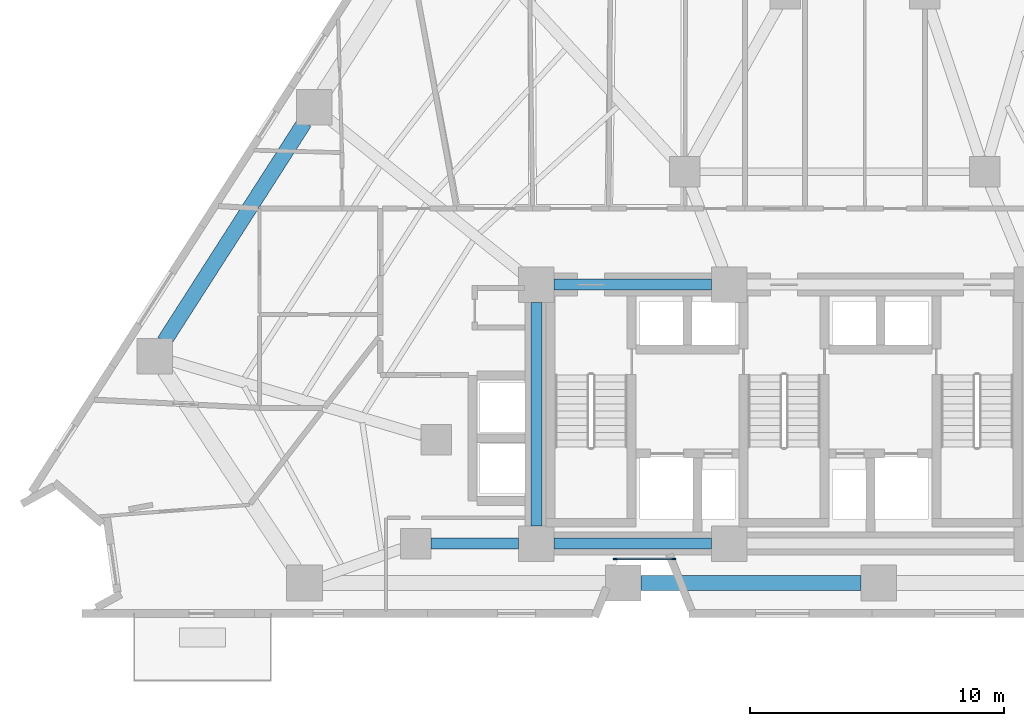
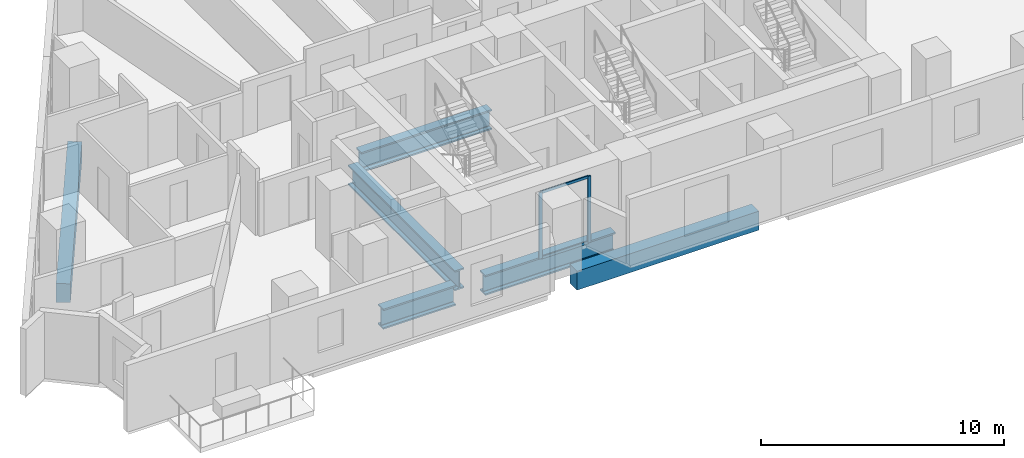
# One storey, part 2 of 15: 6 beams, 4 members, 1 element without a shape of its own.
"""IFC4 building model written with IfcOpenShell, lengths in metres."""

from ifc_helpers import new_model, si_unit, direction, frame, origin, origin_2d, place, context, subcontext, project, spatial, rectangle, i_section, extrude, material, layer, layer_set, material_profile, profile_set, type_object, element, aggregate, save


model = new_model("IFC4")

# Units and contexts
model_context = context("Model", 3, precision=1e-05, world=origin(), true_north=direction((0.0, 1.0)))
body_context = subcontext(model_context, "Body", "Model", "MODEL_VIEW")
ifc_project = project(units=[si_unit("LENGTHUNIT", "METRE"), si_unit("AREAUNIT", "SQUARE_METRE"), si_unit("VOLUMEUNIT", "CUBIC_METRE"), si_unit("PLANEANGLEUNIT", "RADIAN"), si_unit("MASSUNIT", "GRAM", prefix="KILO")], contexts=[model_context])

# Site, building, storey
site_placement = place(None, origin())
site = spatial("IfcSite", under=ifc_project, at=site_placement, CompositionType="ELEMENT")
building_placement = place(site_placement, origin())
building = spatial("IfcBuilding", under=site, at=building_placement, Name="Almagre Mirador Tower", CompositionType="ELEMENT")
storey_placement = place(building_placement, frame((0.0, 0.0, 31.800048828125)))
storey = spatial("IfcBuildingStorey", under=building, at=storey_placement, Name="L06", CompositionType="ELEMENT", Elevation=31.800048828125)

# Beams
ifc_material_1 = material(Name="Precast concrete C50/60", Category="concrete")
ifc_material_profile_1 = material_profile(ifc_material_1, rectangle(XDim=0.60009765625, YDim=0.949951171875, at=origin_2d()), Name="RC600X950")
ifc_profile_set_1 = profile_set([ifc_material_profile_1], Name="Precast concrete C50/60")
beam_type_1 = type_object("IfcBeamType", Name="BM-SPN-RC600X950", PredefinedType="SPANDREL", material=ifc_profile_set_1)
beam_1_placement = place(storey_placement, frame((31.676025390625, 3.0, -0.72509765625), z_axis=(1.0, 0.0, 0.0), x_axis=(0.0, 1.0, 0.0)))
element("IfcBeam", 1, at=beam_1_placement, inside=storey, type_object=beam_type_1, Name="L06 perimeter spandrel beam PC02-PC03", PredefinedType="SPANDREL", context=body_context, shape_type="SweptSolid", body=[
    extrude(rectangle(XDim=0.60009765625, YDim=0.949951171875, at=origin_2d()), origin(), (0.0, 0.0, 1.0), 8.64794921875),
])
beam_2_placement = place(storey_placement, frame((18.42041015625, 21.1435546875, -0.72509765625), z_axis=(-0.539549548581, -0.841953849463, 0.0), x_axis=(0.841953849463, -0.539549548581, 0.0)))
element("IfcBeam", 2, at=beam_2_placement, inside=storey, type_object=beam_type_1, Name="L06 perimeter spandrel beam PC11-PC12", PredefinedType="SPANDREL", context=body_context, shape_type="SweptSolid", body=[
    extrude(rectangle(XDim=0.60009765625, YDim=0.949951171875, at=origin_2d()), origin(), (0.0, 0.0, 1.0), 10.239501953125),
])
ifc_material_2 = material(Name="Steel ASTM A992 Grade 50", Category="steel")
ifc_material_profile_2 = material_profile(ifc_material_2, i_section(OverallWidth=0.43701171875, OverallDepth=1.010986328125, WebThickness=0.041015625, FlangeThickness=0.073974609375, FilletRadius=0.028076171875, at=origin_2d()), Name="W36X529")
ifc_profile_set_2 = profile_set([ifc_material_profile_2], Name="Steel ASTM A992 Grade 50")
beam_type_2 = type_object("IfcBeamType", Name="BM-STL-W36X529", PredefinedType="BEAM", material=ifc_profile_set_2)
for number, where, z_axis, x_axis, name in (
    (3, (28.25, 4.550048828125, -0.755615234375), (1.0, 0.0, 0.0), (0.0, 1.0, 0.0), "L06 core tie girder CC1-CC2"),
    (4, (28.25, 14.75, -0.755615234375), (1.0, 0.0, 0.0), (0.0, 1.0, 0.0), "L06 core tie girder CC4-CC5"),
):
    element("IfcBeam", number, at=place(storey_placement, frame(where, z_axis=z_axis, x_axis=x_axis)), inside=storey, type_object=beam_type_2, Name=name, PredefinedType="BEAM", context=body_context, shape_type="SweptSolid", body=[
        extrude(i_section(OverallWidth=0.43701171875, OverallDepth=1.010986328125, WebThickness=0.041015625, FlangeThickness=0.073974609375, FilletRadius=0.028076171875, at=origin_2d()), origin(), (0.0, 0.0, 1.0), 6.199951171875),
    ])
beam_3_placement = place(storey_placement, frame((27.550048828125, 5.25, -0.755615234375), z_axis=(0.0, 1.0, 0.0), x_axis=(-1.0, 0.0, 0.0)))
element("IfcBeam", 5, at=beam_3_placement, inside=storey, type_object=beam_type_2, Name="L06 core tie girder CC1-CC4", PredefinedType="BEAM", context=body_context, shape_type="SweptSolid", body=[
    extrude(i_section(OverallWidth=0.43701171875, OverallDepth=1.010986328125, WebThickness=0.041015625, FlangeThickness=0.073974609375, FilletRadius=0.028076171875, at=origin_2d()), origin(), (0.0, 0.0, 1.0), 8.800048828125),
])
beam_4_placement = place(storey_placement, frame((23.39990234375, 4.550048828125, -0.755615234375), z_axis=(1.0, 0.0, 0.0), x_axis=(0.0, 1.0, 0.0)))
element("IfcBeam", 6, at=beam_4_placement, inside=storey, type_object=beam_type_2, Name="L06 core tie girder MC1-CC1", PredefinedType="BEAM", context=body_context, shape_type="SweptSolid", body=[
    extrude(i_section(OverallWidth=0.43701171875, OverallDepth=1.010986328125, WebThickness=0.041015625, FlangeThickness=0.073974609375, FilletRadius=0.028076171875, at=origin_2d()), origin(), (0.0, 0.0, 1.0), 3.4501953125),
])

# Curtain wall, members
ifc_material_3 = material(Name="Black anodized aluminium", Category="aluminium")
ifc_layer = layer(ifc_material_3, 0.169921875)
ifc_layer_set = layer_set([ifc_layer], Name="Black anodized aluminium")
curtain_wall_type = type_object("IfcCurtainWallType", Name="CW-CRS-SYS", PredefinedType="NOTDEFINED", material=ifc_layer_set)
curtain_wall_placement = place(storey_placement, origin())
curtain_wall = element("IfcCurtainWall", 7, at=curtain_wall_placement, inside=storey, type_object=curtain_wall_type, Name="L06 vertical crease curtain wall 04", PredefinedType="NOTDEFINED")
ifc_material_4 = material(Name="Black anodized aluminium", Category="aluminium")
ifc_material_profile_3 = material_profile(ifc_material_4, rectangle(XDim=0.06005859375, YDim=0.14990234375, at=origin_2d()), Name="CWM60X150")
ifc_profile_set_3 = profile_set([ifc_material_profile_3], Name="Black anodized aluminium")
member_type_1 = type_object("IfcMemberType", Name="MBR-CWM60X150", PredefinedType="MULLION", material=ifc_profile_set_3)
member_1_placement = place(storey_placement, frame((32.962890625, 3.949951171875, 0.0), z_axis=(0.0, 0.0, 1.0), x_axis=(0.0, -1.0, 0.0)))
member_1 = element("IfcMember", 8, at=member_1_placement, type_object=member_type_1, Name="CW-4 mullion 1", PredefinedType="MULLION", context=body_context, shape_type="SweptSolid", body=[
    extrude(rectangle(XDim=0.06005859375, YDim=0.14990234375, at=origin_2d()), origin(), (0.0, 0.0, 1.0), 3.349853515625),
])
member_2_placement = place(storey_placement, frame((30.653076171875, 3.949951171875, 0.0), z_axis=(0.0, 0.0, 1.0), x_axis=(0.0, -1.0, 0.0)))
member_2 = element("IfcMember", 9, at=member_2_placement, type_object=member_type_1, Name="CW-4 mullion 2", PredefinedType="MULLION", context=body_context, shape_type="SweptSolid", body=[
    extrude(rectangle(XDim=0.06005859375, YDim=0.14990234375, at=origin_2d()), origin(), (0.0, 0.0, 1.0), 3.349853515625),
])
ifc_material_5 = material(Name="Black anodized aluminium", Category="aluminium")
ifc_material_profile_4 = material_profile(ifc_material_5, rectangle(XDim=0.06005859375, YDim=0.1298828125, at=origin_2d()), Name="CWT60X130")
ifc_profile_set_4 = profile_set([ifc_material_profile_4], Name="Black anodized aluminium")
member_type_2 = type_object("IfcMemberType", Name="MBR-CWT60X130", PredefinedType="USERDEFINED", material=ifc_profile_set_4)
member_3_placement = place(storey_placement, frame((32.93310546875, 3.949951171875, 0.030029296875), z_axis=(-1.0, 0.0, 0.0), x_axis=(0.0, -1.0, 0.0)))
member_3 = element("IfcMember", 10, at=member_3_placement, type_object=member_type_2, Name="CW-4 transom 1.1", ObjectType="TRANSOM", PredefinedType="USERDEFINED", context=body_context, shape_type="SweptSolid", body=[
    extrude(rectangle(XDim=0.06005859375, YDim=0.1298828125, at=origin_2d()), origin(), (0.0, 0.0, 1.0), 2.25),
])
member_4_placement = place(storey_placement, frame((32.93310546875, 3.949951171875, 3.320068359375), z_axis=(-1.0, 0.0, 0.0), x_axis=(0.0, -1.0, 0.0)))
member_4 = element("IfcMember", 11, at=member_4_placement, type_object=member_type_2, Name="CW-4 transom 1.2", ObjectType="TRANSOM", PredefinedType="USERDEFINED", context=body_context, shape_type="SweptSolid", body=[
    extrude(rectangle(XDim=0.06005859375, YDim=0.1298828125, at=origin_2d()), origin(), (0.0, 0.0, 1.0), 2.25),
])
aggregate(curtain_wall, [member_1, member_2, member_3, member_4])

save(model, "model.ifc")
